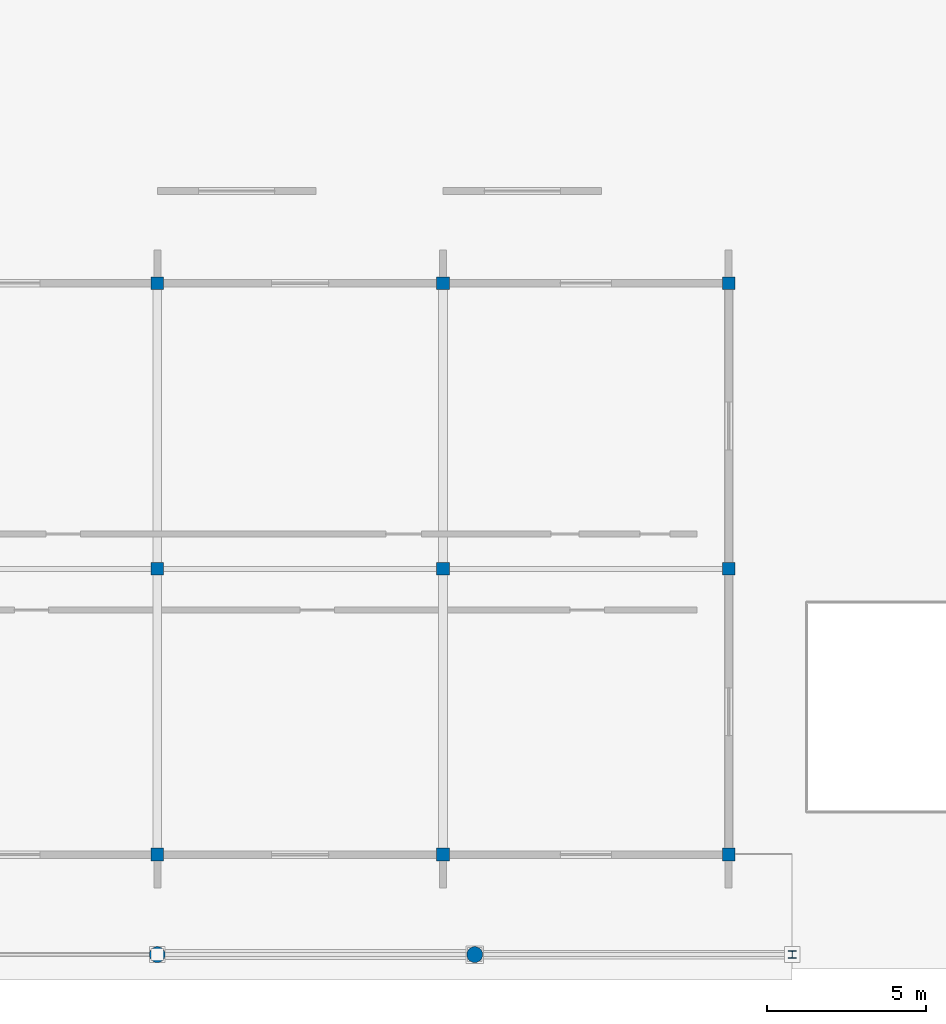
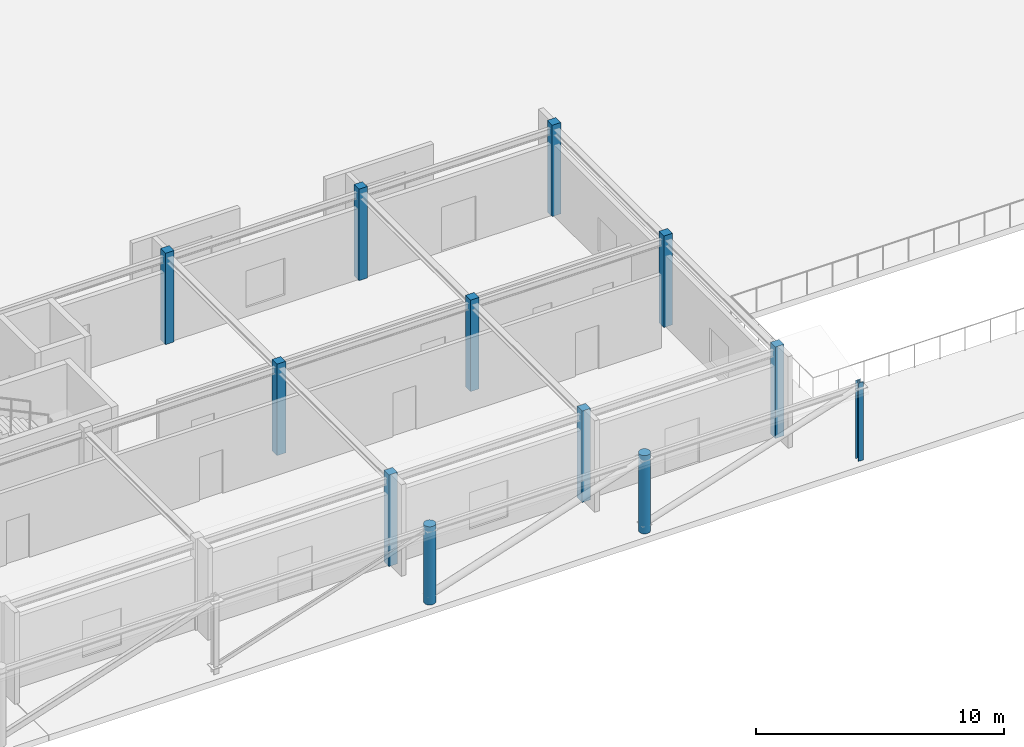
# One storey, part 7 of 61: 12 columns.
"""IFC4 building model written with IfcOpenShell, lengths in metres."""

from ifc_helpers import new_model, si_unit, direction, frame, origin, origin_2d, place, context, subcontext, project, spatial, rectangle, circle, i_section, extrude, material, material_profile, profile_set, type_object, element, save


model = new_model("IFC4")

# Units and contexts
model_context = context("Model", 3, precision=1e-05, world=origin(), true_north=direction((0.0, 1.0)))
body_context = subcontext(model_context, "Body", "Model", "MODEL_VIEW")
ifc_project = project(units=[si_unit("LENGTHUNIT", "METRE"), si_unit("AREAUNIT", "SQUARE_METRE"), si_unit("VOLUMEUNIT", "CUBIC_METRE"), si_unit("PLANEANGLEUNIT", "RADIAN"), si_unit("MASSUNIT", "GRAM", prefix="KILO")], contexts=[model_context])

# Site, building, storey
site_placement = place(None, origin())
site = spatial("IfcSite", under=ifc_project, at=site_placement, CompositionType="ELEMENT")
building_placement = place(site_placement, origin())
building = spatial("IfcBuilding", under=site, at=building_placement, Name="Zimvara Arc Housing Community", CompositionType="ELEMENT")
storey_placement = place(building_placement, origin())
storey = spatial("IfcBuildingStorey", under=building, at=storey_placement, Name="L00", CompositionType="ELEMENT", Elevation=0.0)

# Columns
ifc_material_1 = material(Name="Concrete C40/50", Category="concrete")
ifc_material_profile_1 = material_profile(ifc_material_1, rectangle(XDim=0.39990234375, YDim=0.39990234375, at=origin_2d()), Name="RC 400x400")
ifc_profile_set_1 = profile_set([ifc_material_profile_1], Name="Concrete C40/50")
column_type_1 = type_object("IfcColumnType", Name="COL-RC-400x400", PredefinedType="COLUMN", material=ifc_profile_set_1)
for number, where, z_axis, x_axis, name in (
    (1, (130.0, 3.60009765625, 0.0), (0.0, 0.0, 1.0), (1.0, 0.0, 0.0), "col:nursery:L00:x2:y0"),
    (2, (130.0, 12.60009765625, 0.0), (0.0, 0.0, 1.0), (1.0, 0.0, 0.0), "col:nursery:L00:x2:y1"),
    (3, (130.0, 21.60009765625, 0.0), (0.0, 0.0, 1.0), (1.0, 0.0, 0.0), "col:nursery:L00:x2:y2"),
    (4, (139.0, 3.60009765625, 0.0), (0.0, 0.0, 1.0), (1.0, 0.0, 0.0), "col:nursery:L00:x3:y0"),
    (5, (139.0, 12.60009765625, 0.0), (0.0, 0.0, 1.0), (1.0, 0.0, 0.0), "col:nursery:L00:x3:y1"),
    (6, (139.0, 21.60009765625, 0.0), (0.0, 0.0, 1.0), (1.0, 0.0, 0.0), "col:nursery:L00:x3:y2"),
    (7, (148.0, 3.60009765625, 0.0), (0.0, 0.0, 1.0), (1.0, 0.0, 0.0), "col:nursery:L00:x4:y0"),
    (8, (148.0, 12.60009765625, 0.0), (0.0, 0.0, 1.0), (1.0, 0.0, 0.0), "col:nursery:L00:x4:y1"),
    (9, (148.0, 21.60009765625, 0.0), (0.0, 0.0, 1.0), (1.0, 0.0, 0.0), "col:nursery:L00:x4:y2"),
):
    element("IfcColumn", number, at=place(storey_placement, frame(where, z_axis=z_axis, x_axis=x_axis)), inside=storey, type_object=column_type_1, Name=name, PredefinedType="COLUMN", context=body_context, shape_type="SweptSolid", body=[
        extrude(rectangle(XDim=0.39990234375, YDim=0.39990234375, at=origin_2d()), origin(), (0.0, 0.0, 1.0), 4.5),
    ])
ifc_material_2 = material(Name="Concrete C40/50", Category="concrete")
ifc_material_profile_2 = material_profile(ifc_material_2, circle(Radius=0.25, at=origin_2d()), Name="RC D500")
ifc_profile_set_2 = profile_set([ifc_material_profile_2], Name="Concrete C40/50")
column_type_2 = type_object("IfcColumnType", Name="COL-RC-D500", PredefinedType="COLUMN", material=ifc_profile_set_2)
for number, where, z_axis, x_axis, name in (
    (10, (130.0, 0.449951171875, 0.0), (0.0, 0.0, 1.0), (1.0, 0.0, 0.0), "col:colonnade:L00:13"),
    (11, (140.0, 0.449951171875, 0.0), (0.0, 0.0, 1.0), (1.0, 0.0, 0.0), "col:colonnade:L00:14"),
):
    element("IfcColumn", number, at=place(storey_placement, frame(where, z_axis=z_axis, x_axis=x_axis)), inside=storey, type_object=column_type_2, Name=name, PredefinedType="COLUMN", context=body_context, shape_type="SweptSolid", body=[
        extrude(circle(Radius=0.25, at=origin_2d()), origin(), (0.0, 0.0, 1.0), 3.85009765625),
    ])
ifc_material_3 = material(Name="Steel S355", Category="steel")
ifc_material_profile_3 = material_profile(ifc_material_3, i_section(OverallWidth=0.239990234375, OverallDepth=0.239990234375, WebThickness=0.010009765625, FlangeThickness=0.01708984375, FilletRadius=0.02099609375, at=origin_2d()), Name="HEB 240")
ifc_profile_set_3 = profile_set([ifc_material_profile_3], Name="Steel S355")
column_type_3 = type_object("IfcColumnType", Name="COL-ST-HEB240", PredefinedType="COLUMN", material=ifc_profile_set_3)
column_placement = place(storey_placement, frame((150.0, 0.449951171875, 0.0), z_axis=(0.0, 0.0, 1.0), x_axis=(1.0, 0.0, 0.0)))
element("IfcColumn", 12, at=column_placement, inside=storey, type_object=column_type_3, Name="col:colonnade:L00:15", PredefinedType="COLUMN", context=body_context, shape_type="SweptSolid", body=[
    extrude(i_section(OverallWidth=0.239990234375, OverallDepth=0.239990234375, WebThickness=0.010009765625, FlangeThickness=0.01708984375, FilletRadius=0.02099609375, at=origin_2d()), origin(), (0.0, 0.0, 1.0), 3.85009765625),
])

save(model, "model.ifc")
